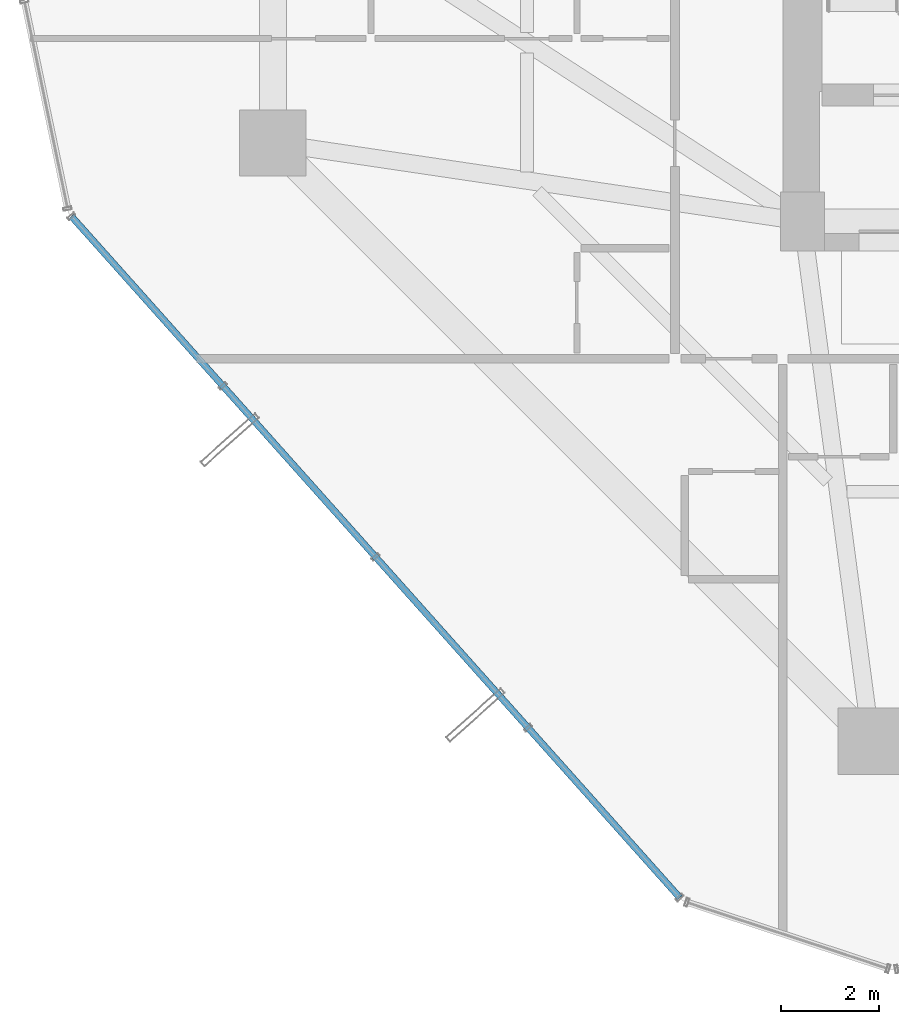
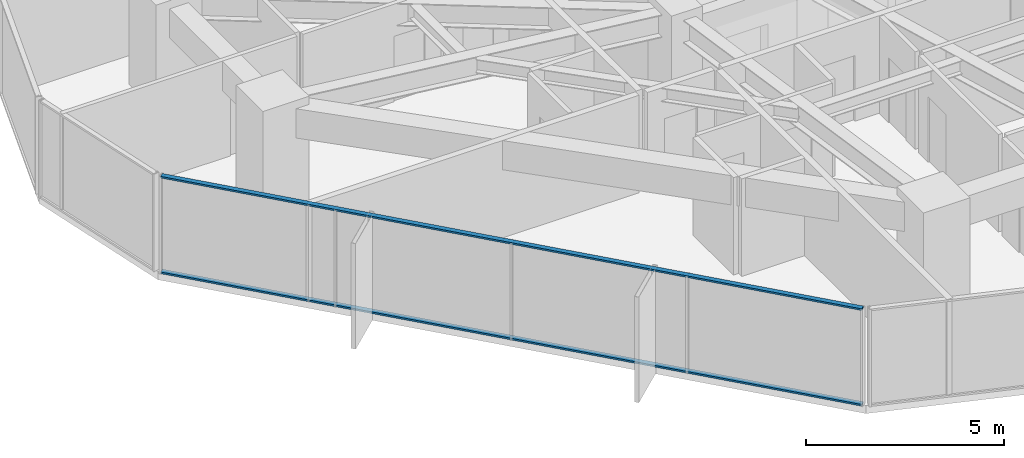
# One storey, part 3 of 38: 2 members, 1 element without a shape of its own.
"""IFC4 building model written with IfcOpenShell, lengths in metres."""

from ifc_helpers import new_model, si_unit, direction, frame, origin, origin_2d, place, context, subcontext, project, spatial, hollow_rectangle, extrude, source, transform, mapped, material, layer, layer_set, material_profile, profile_set, type_object, element, aggregate, save


model = new_model("IFC4")

# Units and contexts
model_context = context("Model", 3, precision=1e-05, world=origin(), true_north=direction((0.0, 1.0)))
body_context = subcontext(model_context, "Body", "Model", "MODEL_VIEW")
ifc_project = project(units=[si_unit("LENGTHUNIT", "METRE"), si_unit("AREAUNIT", "SQUARE_METRE"), si_unit("VOLUMEUNIT", "CUBIC_METRE"), si_unit("PLANEANGLEUNIT", "RADIAN"), si_unit("MASSUNIT", "GRAM", prefix="KILO")], contexts=[model_context])

# Site, building, storey
site_placement = place(None, origin())
site = spatial("IfcSite", under=ifc_project, at=site_placement, CompositionType="ELEMENT")
building_placement = place(site_placement, origin())
building = spatial("IfcBuilding", under=site, at=building_placement, Name="Veraguas Prism Commons", CompositionType="ELEMENT")
storey_placement = place(building_placement, frame((0.0, 0.0, 64.10009765625)))
storey = spatial("IfcBuildingStorey", under=building, at=storey_placement, Name="L17", CompositionType="ELEMENT", Elevation=64.10009765625)

# Curtain wall, members
ifc_material = material(Name="Anodised aluminium EN AW-6063 T6", Category="aluminium")
ifc_layer = layer(ifc_material, 0.169921875, Name="Unitised Flush Curtain Wall Zone 1", Category="aluminium")
ifc_layer_set = layer_set([ifc_layer], Name="Anodised aluminium EN AW-6063 T6")
curtain_wall_type = type_object("IfcCurtainWallType", Name="Unitised Flush Curtain Wall Zone 1", PredefinedType="NOTDEFINED", material=ifc_layer_set)
curtain_wall_placement = place(storey_placement, origin())
curtain_wall = element("IfcCurtainWall", 1, at=curtain_wall_placement, inside=storey, type_object=curtain_wall_type, Name="Tower Facade Curtain Wall L17-F4", PredefinedType="NOTDEFINED")
ifc_material_profile = material_profile(ifc_material, hollow_rectangle(XDim=0.054931640625, YDim=0.135009765625, WallThickness=0.0029296875, at=origin_2d()), Name="AL55X135X3")
ifc_profile_set = profile_set([ifc_material_profile], Name="Anodised aluminium EN AW-6063 T6")
member_type = type_object("IfcMemberType", Name="Curtain Wall Transom Standard AL 55x135x3", PredefinedType="USERDEFINED", material=ifc_profile_set)
shared_shape = source(origin(), body_context, "Body", "SweptSolid", [
    extrude(hollow_rectangle(XDim=0.054931640625, YDim=0.135009765625, WallThickness=0.0029296875, at=origin_2d()), origin(), (0.0, 0.0, 1.0), 18.62353515625),
])
member_1_placement = place(storey_placement, frame((2.294189453125, 17.103271484375, 0.02734375), z_axis=(0.666013164211, -0.745939987598, 0.0), x_axis=(0.0, 0.0, 1.0)))
member_1 = element("IfcMember", 2, at=member_1_placement, type_object=member_type, Name="CW-Z1 Transom 1", ObjectType="TRANSOM", PredefinedType="USERDEFINED", context=body_context, shape_type="MappedRepresentation", body=[
    mapped(shared_shape, transform((0.0, 0.0, 0.0), scale=1.0)),
])
member_2_placement = place(storey_placement, frame((2.294189453125, 17.103271484375, 2.972412109375), z_axis=(0.666013164211, -0.745939987598, 0.0), x_axis=(0.0, 0.0, 1.0)))
member_2 = element("IfcMember", 3, at=member_2_placement, type_object=member_type, Name="CW-Z1 Transom 2", ObjectType="TRANSOM", PredefinedType="USERDEFINED", context=body_context, shape_type="MappedRepresentation", body=[
    mapped(shared_shape, transform((0.0, 0.0, 0.0), scale=1.0)),
])
aggregate(curtain_wall, [member_1, member_2])

save(model, "model.ifc")
